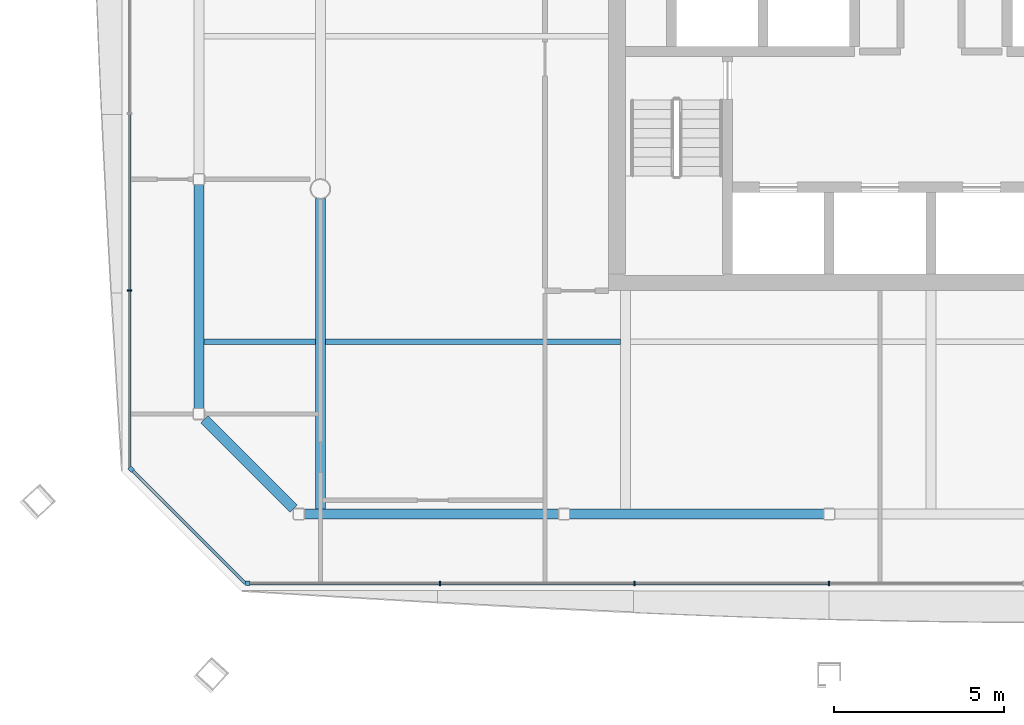
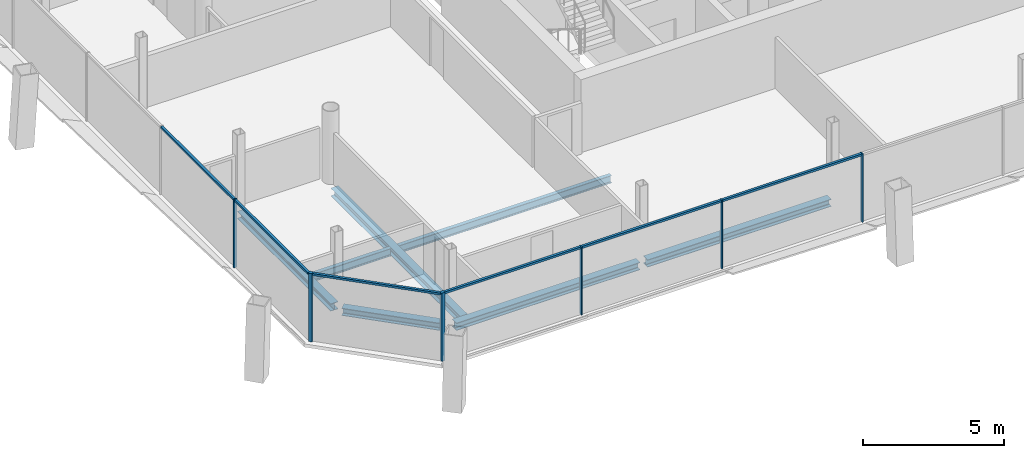
# One storey, part 4 of 20: 12 members, 7 beams, 3 elements without a shape of their own.
"""IFC4 building model written with IfcOpenShell, lengths in metres."""

from ifc_helpers import new_model, si_unit, direction, frame, origin, origin_2d, place, context, subcontext, project, spatial, rectangle, i_section, extrude, material, material_profile, profile_set, type_object, element, aggregate, save


model = new_model("IFC4")

# Units and contexts
model_context = context("Model", 3, precision=1e-05, world=origin(), true_north=direction((0.0, 1.0)))
body_context = subcontext(model_context, "Body", "Model", "MODEL_VIEW")
ifc_project = project(units=[si_unit("LENGTHUNIT", "METRE"), si_unit("AREAUNIT", "SQUARE_METRE"), si_unit("VOLUMEUNIT", "CUBIC_METRE"), si_unit("PLANEANGLEUNIT", "RADIAN"), si_unit("MASSUNIT", "GRAM", prefix="KILO")], contexts=[model_context])

# Site, building, storey
site_placement = place(None, origin())
site = spatial("IfcSite", under=ifc_project, at=site_placement, CompositionType="ELEMENT")
building_placement = place(site_placement, origin())
building = spatial("IfcBuilding", under=site, at=building_placement, Name="Tskaro Facet Tower", CompositionType="ELEMENT")
storey_placement = place(building_placement, frame((0.0, 0.0, 187.949951171875)))
storey = spatial("IfcBuildingStorey", under=building, at=storey_placement, Name="L47", CompositionType="ELEMENT", Elevation=187.949951171875)

# Curtain wall, member
ifc_material_1 = material(Name="Bronze anodised aluminium 6063-T6", Category="aluminium")
curtain_wall_type = type_object("IfcCurtainWallType", Name="Bronze residence curtain wall (FW3)", PredefinedType="NOTDEFINED", material=ifc_material_1)
curtain_wall_1_placement = place(storey_placement, origin())
curtain_wall_1 = element("IfcCurtainWall", 1, at=curtain_wall_1_placement, inside=storey, type_object=curtain_wall_type, Name="FW3 south facet L47", PredefinedType="NOTDEFINED")
ifc_material_profile_1 = material_profile(ifc_material_1, rectangle(XDim=0.139892578125, YDim=0.139892578125, at=origin_2d()), Name="Corner post 140x140")
ifc_profile_set_1 = profile_set([ifc_material_profile_1], Name="Bronze anodised aluminium 6063-T6")
member_type_1 = type_object("IfcMemberType", Name="FW3 bronze corner post 140x140", PredefinedType="MULLION", material=ifc_profile_set_1)
member_1_placement = place(storey_placement, frame((-20.138916015625, -20.6279296875, 0.0), z_axis=(0.0, 0.0, 1.0), x_axis=(1.0, 0.0, 0.0)))
member_1 = element("IfcMember", 2, at=member_1_placement, type_object=member_type_1, Name="FW3 south corner post", PredefinedType="MULLION", context=body_context, shape_type="SweptSolid", body=[
    extrude(rectangle(XDim=0.139892578125, YDim=0.139892578125, at=origin_2d()), origin(), (0.0, 0.0, 1.0), 2.949951171875),
])

curtain_wall_2_placement = place(storey_placement, origin())
curtain_wall_2 = element("IfcCurtainWall", 3, at=curtain_wall_2_placement, inside=storey, type_object=curtain_wall_type, Name="FW3 south-west facet L47", PredefinedType="NOTDEFINED")
member_2_placement = place(storey_placement, frame((-23.57861328125, -17.258544921875, 0.0), z_axis=(0.0, 0.0, 1.0), x_axis=(0.707106781187, -0.707106781187, 0.0)))
member_2 = element("IfcMember", 4, at=member_2_placement, type_object=member_type_1, Name="FW3 south-west corner post", PredefinedType="MULLION", context=body_context, shape_type="SweptSolid", body=[
    extrude(rectangle(XDim=0.139892578125, YDim=0.139892578125, at=origin_2d()), origin(), (0.0, 0.0, 1.0), 2.949951171875),
])

# Member
ifc_material_profile_2 = material_profile(ifc_material_1, rectangle(XDim=0.050048828125, YDim=0.139892578125, at=origin_2d()), Name="Mullion 50x140")
ifc_profile_set_2 = profile_set([ifc_material_profile_2], Name="Bronze anodised aluminium 6063-T6")
member_type_2 = type_object("IfcMemberType", Name="FW3 bronze mullion 50x140", PredefinedType="MULLION", material=ifc_profile_set_2)
member_3_placement = place(storey_placement, frame((-14.47265625, -20.6279296875, 0.0), z_axis=(0.0, 0.0, 1.0), x_axis=(1.0, 0.0, 0.0)))
member_3 = element("IfcMember", 5, at=member_3_placement, type_object=member_type_2, Name="FW3 south mullion 1", PredefinedType="MULLION", context=body_context, shape_type="SweptSolid", body=[
    extrude(rectangle(XDim=0.050048828125, YDim=0.139892578125, at=origin_2d()), origin(), (0.0, 0.0, 1.0), 2.949951171875),
])

member_4_placement = place(storey_placement, frame((-8.736328125, -20.6279296875, 0.0), z_axis=(0.0, 0.0, 1.0), x_axis=(1.0, 0.0, 0.0)))
member_4 = element("IfcMember", 6, at=member_4_placement, type_object=member_type_2, Name="FW3 south mullion 2", PredefinedType="MULLION", context=body_context, shape_type="SweptSolid", body=[
    extrude(rectangle(XDim=0.050048828125, YDim=0.139892578125, at=origin_2d()), origin(), (0.0, 0.0, 1.0), 2.949951171875),
])

member_5_placement = place(storey_placement, frame((-3.0, -20.6279296875, 0.0), z_axis=(0.0, 0.0, 1.0), x_axis=(1.0, 0.0, 0.0)))
member_5 = element("IfcMember", 7, at=member_5_placement, type_object=member_type_2, Name="FW3 south mullion 3", PredefinedType="MULLION", context=body_context, shape_type="SweptSolid", body=[
    extrude(rectangle(XDim=0.050048828125, YDim=0.139892578125, at=origin_2d()), origin(), (0.0, 0.0, 1.0), 2.949951171875),
])

# Curtain wall, member
curtain_wall_3_placement = place(storey_placement, origin())
curtain_wall_3 = element("IfcCurtainWall", 8, at=curtain_wall_3_placement, inside=storey, type_object=curtain_wall_type, Name="FW3 west facet L47", PredefinedType="NOTDEFINED")
member_6_placement = place(storey_placement, frame((-23.6279296875, -11.99072265625, 0.0), z_axis=(0.0, 0.0, 1.0), x_axis=(0.0, -1.0, 0.0)))
member_6 = element("IfcMember", 9, at=member_6_placement, type_object=member_type_2, Name="FW3 west mullion 5", PredefinedType="MULLION", context=body_context, shape_type="SweptSolid", body=[
    extrude(rectangle(XDim=0.050048828125, YDim=0.139892578125, at=origin_2d()), origin(), (0.0, 0.0, 1.0), 2.949951171875),
])

# Member
ifc_material_profile_3 = material_profile(ifc_material_1, rectangle(XDim=0.10009765625, YDim=0.090087890625, at=origin_2d()), Name="Transom 100x90")
ifc_profile_set_3 = profile_set([ifc_material_profile_3], Name="Bronze anodised aluminium 6063-T6")
member_type_3 = type_object("IfcMemberType", Name="FW3 bronze transom 100x90", PredefinedType="USERDEFINED", material=ifc_profile_set_3)
member_7_placement = place(storey_placement, frame((-20.069091796875, -20.6279296875, 2.905029296875), z_axis=(1.0, 0.0, 0.0), x_axis=(0.0, 1.0, 0.0)))
member_7 = element("IfcMember", 10, at=member_7_placement, type_object=member_type_3, Name="FW3 south transom 1.1", ObjectType="TRANSOM", PredefinedType="USERDEFINED", context=body_context, shape_type="SweptSolid", body=[
    extrude(rectangle(XDim=0.10009765625, YDim=0.090087890625, at=origin_2d()), origin(), (0.0, 0.0, 1.0), 5.571533203125),
])

member_8_placement = place(storey_placement, frame((-14.44775390625, -20.6279296875, 2.905029296875), z_axis=(1.0, 0.0, 0.0), x_axis=(0.0, 1.0, 0.0)))
member_8 = element("IfcMember", 11, at=member_8_placement, type_object=member_type_3, Name="FW3 south transom 2.1", ObjectType="TRANSOM", PredefinedType="USERDEFINED", context=body_context, shape_type="SweptSolid", body=[
    extrude(rectangle(XDim=0.10009765625, YDim=0.090087890625, at=origin_2d()), origin(), (0.0, 0.0, 1.0), 5.6865234375),
])

member_9_placement = place(storey_placement, frame((-8.71142578125, -20.6279296875, 2.905029296875), z_axis=(1.0, 0.0, 0.0), x_axis=(0.0, 1.0, 0.0)))
member_9 = element("IfcMember", 12, at=member_9_placement, type_object=member_type_3, Name="FW3 south transom 3.1", ObjectType="TRANSOM", PredefinedType="USERDEFINED", context=body_context, shape_type="SweptSolid", body=[
    extrude(rectangle(XDim=0.10009765625, YDim=0.090087890625, at=origin_2d()), origin(), (0.0, 0.0, 1.0), 5.6865234375),
])

aggregate(curtain_wall_1, [member_1, member_3, member_4, member_5, member_7, member_8, member_9])

member_10_placement = place(storey_placement, frame((-23.6279296875, -6.797607421875, 2.905029296875), z_axis=(0.0, -1.0, 0.0), x_axis=(1.0, 0.0, 0.0)))
member_10 = element("IfcMember", 13, at=member_10_placement, type_object=member_type_3, Name="FW3 west transom 5.1", ObjectType="TRANSOM", PredefinedType="USERDEFINED", context=body_context, shape_type="SweptSolid", body=[
    extrude(rectangle(XDim=0.10009765625, YDim=0.090087890625, at=origin_2d()), origin(), (0.0, 0.0, 1.0), 5.168212890625),
])

member_11_placement = place(storey_placement, frame((-23.6279296875, -12.015869140625, 2.905029296875), z_axis=(0.0, -1.0, 0.0), x_axis=(1.0, 0.0, 0.0)))
member_11 = element("IfcMember", 14, at=member_11_placement, type_object=member_type_3, Name="FW3 west transom 6.1", ObjectType="TRANSOM", PredefinedType="USERDEFINED", context=body_context, shape_type="SweptSolid", body=[
    extrude(rectangle(XDim=0.10009765625, YDim=0.090087890625, at=origin_2d()), origin(), (0.0, 0.0, 1.0), 5.193115234375),
])

aggregate(curtain_wall_3, [member_6, member_10, member_11])

member_12_placement = place(storey_placement, frame((-23.529052734375, -17.30810546875, 2.905029296875), z_axis=(0.707132780149, -0.707080781268, 0.0), x_axis=(0.707080781268, 0.707132780149, 0.0)))
member_12 = element("IfcMember", 15, at=member_12_placement, type_object=member_type_3, Name="FW3 south-west transom 1.1", ObjectType="TRANSOM", PredefinedType="USERDEFINED", context=body_context, shape_type="SweptSolid", body=[
    extrude(rectangle(XDim=0.10009765625, YDim=0.090087890625, at=origin_2d()), origin(), (0.0, 0.0, 1.0), 4.695068359375),
])

aggregate(curtain_wall_2, [member_2, member_12])

# Beams
ifc_material_2 = material(Name="Steel S355J2", Category="steel")
ifc_material_profile_4 = material_profile(ifc_material_2, i_section(OverallWidth=0.300048828125, OverallDepth=0.320068359375, WebThickness=0.011474609375, FlangeThickness=0.0205078125, FilletRadius=0.027099609375, at=origin_2d()), Name="HE 320 B")
ifc_profile_set_4 = profile_set([ifc_material_profile_4], Name="Steel S355J2")
beam_type_1 = type_object("IfcBeamType", Name="HE 320 B ring beam", PredefinedType="BEAM", material=ifc_profile_set_4)
beam_1_placement = place(storey_placement, frame((-18.47802734375, -18.5830078125, -0.300048828125), z_axis=(1.0, 0.0, 0.0), x_axis=(0.0, 1.0, 0.0)))
element("IfcBeam", 16, at=beam_1_placement, inside=storey, type_object=beam_type_1, Name="HE 320 B EB1-4", PredefinedType="BEAM", context=body_context, shape_type="SweptSolid", body=[
    extrude(i_section(OverallWidth=0.300048828125, OverallDepth=0.320068359375, WebThickness=0.011474609375, FlangeThickness=0.0205078125, FilletRadius=0.027099609375, at=origin_2d()), origin(), (0.0, 0.0, 1.0), 7.507080078125),
])
beam_2_placement = place(storey_placement, frame((-10.660888671875, -18.5830078125, -0.300048828125), z_axis=(1.0, 0.0, 0.0), x_axis=(0.0, 1.0, 0.0)))
element("IfcBeam", 17, at=beam_2_placement, inside=storey, type_object=beam_type_1, Name="HE 320 B EB2-4", PredefinedType="BEAM", context=body_context, shape_type="SweptSolid", body=[
    extrude(i_section(OverallWidth=0.300048828125, OverallDepth=0.320068359375, WebThickness=0.011474609375, FlangeThickness=0.0205078125, FilletRadius=0.027099609375, at=origin_2d()), origin(), (0.0, 0.0, 1.0), 7.505859375),
])
beam_3_placement = place(storey_placement, frame((-21.5830078125, -8.867919921875, -0.300048828125), z_axis=(0.0, -1.0, 0.0), x_axis=(1.0, 0.0, 0.0)))
element("IfcBeam", 18, at=beam_3_placement, inside=storey, type_object=beam_type_1, Name="HE 320 B EB20-4", PredefinedType="BEAM", context=body_context, shape_type="SweptSolid", body=[
    extrude(i_section(OverallWidth=0.300048828125, OverallDepth=0.320068359375, WebThickness=0.011474609375, FlangeThickness=0.0205078125, FilletRadius=0.027099609375, at=origin_2d()), origin(), (0.0, 0.0, 1.0), 6.610107421875),
])
beam_4_placement = place(storey_placement, frame((-21.422119140625, -15.7939453125, -0.300048828125), z_axis=(0.707106781187, -0.707106781187, 0.0), x_axis=(0.707106781187, 0.707106781187, 0.0)))
element("IfcBeam", 19, at=beam_4_placement, inside=storey, type_object=beam_type_1, Name="HE 320 B EB21-4", PredefinedType="BEAM", context=body_context, shape_type="SweptSolid", body=[
    extrude(i_section(OverallWidth=0.300048828125, OverallDepth=0.320068359375, WebThickness=0.011474609375, FlangeThickness=0.0205078125, FilletRadius=0.027099609375, at=origin_2d()), origin(), (0.0, 0.0, 1.0), 3.716796875),
])
ifc_material_profile_5 = material_profile(ifc_material_2, i_section(OverallWidth=0.300048828125, OverallDepth=0.35009765625, WebThickness=0.010009765625, FlangeThickness=0.017578125, FilletRadius=0.027099609375, at=origin_2d()), Name="HE 360 A")
ifc_profile_set_5 = profile_set([ifc_material_profile_5], Name="Steel S355J2")
beam_type_2 = type_object("IfcBeamType", Name="HE 360 A girder", PredefinedType="BEAM", material=ifc_profile_set_5)
beam_5_placement = place(storey_placement, frame((-18.0, -18.43310546875, -0.31494140625), z_axis=(0.0, 1.0, 0.0), x_axis=(-1.0, 0.0, 0.0)))
element("IfcBeam", 20, at=beam_5_placement, inside=storey, type_object=beam_type_2, Name="HE 360 A GB2-1-4", PredefinedType="BEAM", context=body_context, shape_type="SweptSolid", body=[
    extrude(i_section(OverallWidth=0.300048828125, OverallDepth=0.35009765625, WebThickness=0.010009765625, FlangeThickness=0.017578125, FilletRadius=0.027099609375, at=origin_2d()), origin(), (0.0, 0.0, 1.0), 9.158203125),
])
ifc_material_profile_6 = material_profile(ifc_material_2, i_section(OverallWidth=0.159912109375, OverallDepth=0.330078125, WebThickness=0.007568359375, FlangeThickness=0.011474609375, FilletRadius=0.01806640625, at=origin_2d()), Name="IPE 330")
ifc_profile_set_6 = profile_set([ifc_material_profile_6], Name="Steel S355J2")
beam_type_3 = type_object("IfcBeamType", Name="IPE 330 secondary beam", PredefinedType="BEAM", material=ifc_profile_set_6)
beam_6_placement = place(storey_placement, frame((-21.43310546875, -13.5, -0.304931640625), z_axis=(1.0, 0.0, 0.0), x_axis=(0.0, 1.0, 0.0)))
element("IfcBeam", 21, at=beam_6_placement, inside=storey, type_object=beam_type_3, Name="IPE 330 SB2a-1-4", PredefinedType="BEAM", context=body_context, shape_type="SweptSolid", body=[
    extrude(i_section(OverallWidth=0.159912109375, OverallDepth=0.330078125, WebThickness=0.007568359375, FlangeThickness=0.011474609375, FilletRadius=0.01806640625, at=origin_2d()), origin(), (0.0, 0.0, 1.0), 3.283203125),
])
beam_7_placement = place(storey_placement, frame((-17.85009765625, -13.5, -0.304931640625), z_axis=(1.0, 0.0, 0.0), x_axis=(0.0, 1.0, 0.0)))
element("IfcBeam", 22, at=beam_7_placement, inside=storey, type_object=beam_type_3, Name="IPE 330 SB2a-2-4", PredefinedType="BEAM", context=body_context, shape_type="SweptSolid", body=[
    extrude(i_section(OverallWidth=0.159912109375, OverallDepth=0.330078125, WebThickness=0.007568359375, FlangeThickness=0.011474609375, FilletRadius=0.01806640625, at=origin_2d()), origin(), (0.0, 0.0, 1.0), 8.7001953125),
])

save(model, "model.ifc")
